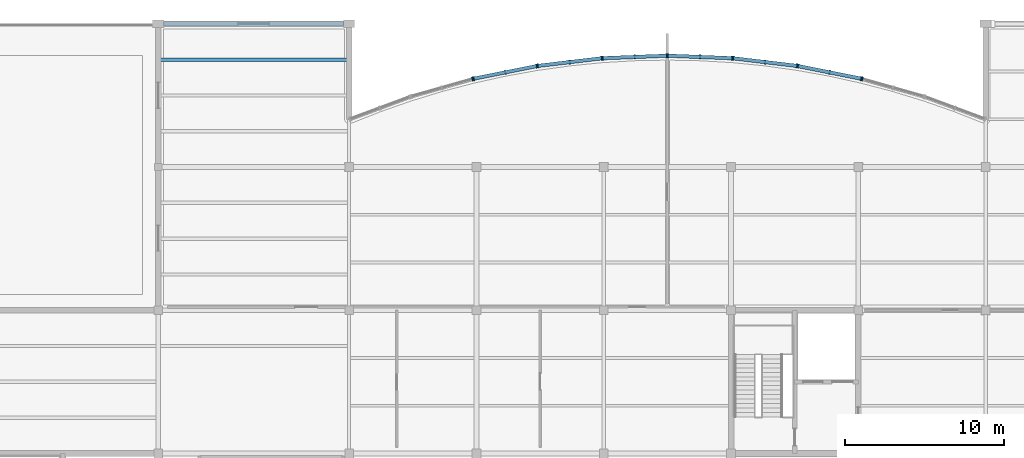
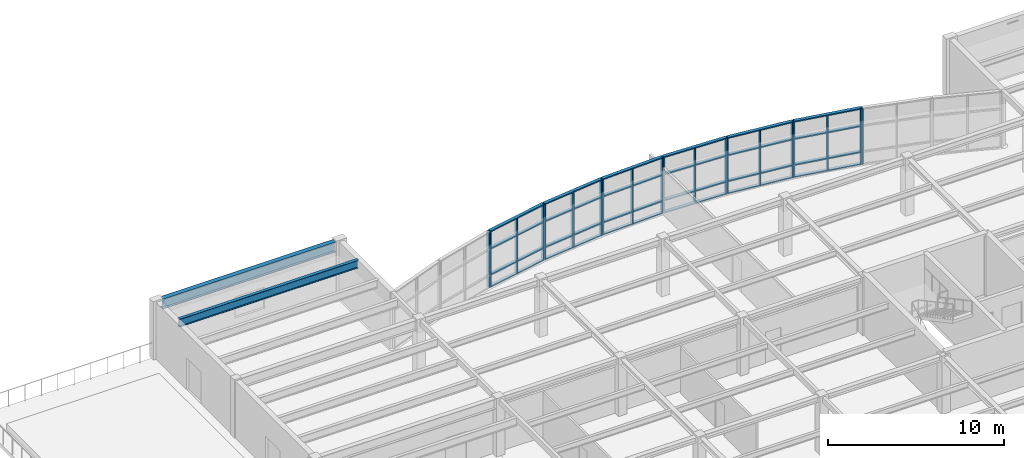
# One storey, part 4 of 12: 44 members, 2 beams, 8 elements without a shape of their own.
"""IFC4 building model written with IfcOpenShell, lengths in metres."""

from ifc_helpers import new_model, si_unit, direction, frame, origin, origin_2d, place, context, subcontext, project, spatial, rectangle, i_section, extrude, material, layer, layer_set, material_profile, profile_set, type_object, element, aggregate, save


model = new_model("IFC4")

# Units and contexts
model_context = context("Model", 3, precision=1e-05, world=origin(), true_north=direction((0.0, 1.0)))
body_context = subcontext(model_context, "Body", "Model", "MODEL_VIEW")
ifc_project = project(units=[si_unit("LENGTHUNIT", "METRE"), si_unit("AREAUNIT", "SQUARE_METRE"), si_unit("VOLUMEUNIT", "CUBIC_METRE"), si_unit("PLANEANGLEUNIT", "RADIAN"), si_unit("MASSUNIT", "GRAM", prefix="KILO")], contexts=[model_context])

# Site, building, storey
site_placement = place(None, origin())
site = spatial("IfcSite", under=ifc_project, at=site_placement, CompositionType="ELEMENT")
building_placement = place(site_placement, origin())
building = spatial("IfcBuilding", under=site, at=building_placement, Name="Keelwater Ferry Terminal", CompositionType="ELEMENT")
storey_placement = place(building_placement, frame((0.0, 0.0, 19.5)))
storey = spatial("IfcBuildingStorey", under=building, at=storey_placement, Name="L04", CompositionType="ELEMENT", Elevation=19.5)

# Curtain wall, member
ifc_material_1 = material(Name="Thermally broken unitised aluminium and triple glass", Category="aluminium")
ifc_layer = layer(ifc_material_1, 0.179931640625)
ifc_layer_set = layer_set([ifc_layer], Name="Thermally broken unitised aluminium and triple glass")
curtain_wall_type = type_object("IfcCurtainWallType", Name="CW-23 Unitised Curtain Wall 4015x3850", PredefinedType="USERDEFINED", material=ifc_layer_set)
curtain_wall_1_placement = place(storey_placement, origin())
curtain_wall_1 = element("IfcCurtainWall", 1, at=curtain_wall_1_placement, inside=storey, type_object=curtain_wall_type, Name="Unitised Curtain Wall CW-L04-214", ObjectType="UNITISED CURTAIN WALL", PredefinedType="USERDEFINED")
ifc_material_2 = material(Name="Aluminium mullion", Category="aluminium")
ifc_material_profile_1 = material_profile(ifc_material_2, rectangle(XDim=0.080078125, YDim=0.25, at=origin_2d()), Name="CWM-04")
ifc_profile_set_1 = profile_set([ifc_material_profile_1], Name="Aluminium mullion")
member_type_1 = type_object("IfcMemberType", Name="CWM-04 Curtain Mullion 80x250", PredefinedType="MULLION", material=ifc_profile_set_1)
member_1_placement = place(storey_placement, frame((164.24609375, 122.535888671875, 0.0), z_axis=(0.0, 0.0, 1.0), x_axis=(-0.962029778706, 0.272944508797, 0.0)))
member_1 = element("IfcMember", 2, at=member_1_placement, type_object=member_type_1, Name="CW-L04-214 Mullion 3", PredefinedType="MULLION", context=body_context, shape_type="SweptSolid", body=[
    extrude(rectangle(XDim=0.080078125, YDim=0.25, at=origin_2d()), origin(), (0.0, 0.0, 1.0), 3.85009765625),
])
aggregate(curtain_wall_1, [member_1])

# Curtain wall, members
curtain_wall_2_placement = place(storey_placement, origin())
curtain_wall_2 = element("IfcCurtainWall", 3, at=curtain_wall_2_placement, inside=storey, type_object=curtain_wall_type, Name="Unitised Curtain Wall CW-L04-215", ObjectType="UNITISED CURTAIN WALL", PredefinedType="USERDEFINED")
member_2_placement = place(storey_placement, frame((164.158935546875, 122.556884765625, 0.0), z_axis=(0.0, 0.0, 1.0), x_axis=(-0.98059983046, 0.196020336958, 0.0)))
member_2 = element("IfcMember", 4, at=member_2_placement, type_object=member_type_1, Name="CW-L04-215 Mullion 1", PredefinedType="MULLION", context=body_context, shape_type="SweptSolid", body=[
    extrude(rectangle(XDim=0.080078125, YDim=0.25, at=origin_2d()), origin(), (0.0, 0.0, 1.0), 3.85009765625),
])
member_3_placement = place(storey_placement, frame((162.1904296875, 122.950439453125, 0.0), z_axis=(0.0, 0.0, 1.0), x_axis=(-0.98059983046, 0.196020336958, 0.0)))
member_3 = element("IfcMember", 5, at=member_3_placement, type_object=member_type_1, Name="CW-L04-215 Mullion 2", PredefinedType="MULLION", context=body_context, shape_type="SweptSolid", body=[
    extrude(rectangle(XDim=0.080078125, YDim=0.25, at=origin_2d()), origin(), (0.0, 0.0, 1.0), 3.85009765625),
])
member_4_placement = place(storey_placement, frame((160.221923828125, 123.343994140625, 0.0), z_axis=(0.0, 0.0, 1.0), x_axis=(-0.98059983046, 0.196020336958, 0.0)))
member_4 = element("IfcMember", 6, at=member_4_placement, type_object=member_type_1, Name="CW-L04-215 Mullion 3", PredefinedType="MULLION", context=body_context, shape_type="SweptSolid", body=[
    extrude(rectangle(XDim=0.080078125, YDim=0.25, at=origin_2d()), origin(), (0.0, 0.0, 1.0), 3.85009765625),
])

curtain_wall_3_placement = place(storey_placement, origin())
curtain_wall_3 = element("IfcCurtainWall", 7, at=curtain_wall_3_placement, inside=storey, type_object=curtain_wall_type, Name="Unitised Curtain Wall CW-L04-216", ObjectType="UNITISED CURTAIN WALL", PredefinedType="USERDEFINED")
member_5_placement = place(storey_placement, frame((160.133056640625, 123.35791015625, 0.0), z_axis=(0.0, 0.0, 1.0), x_axis=(-0.992974342459, 0.118329857676, 0.0)))
member_5 = element("IfcMember", 8, at=member_5_placement, type_object=member_type_1, Name="CW-L04-216 Mullion 1", PredefinedType="MULLION", context=body_context, shape_type="SweptSolid", body=[
    extrude(rectangle(XDim=0.080078125, YDim=0.25, at=origin_2d()), origin(), (0.0, 0.0, 1.0), 3.85009765625),
])
member_6_placement = place(storey_placement, frame((158.139892578125, 123.595458984375, 0.0), z_axis=(0.0, 0.0, 1.0), x_axis=(-0.992974342459, 0.118329857676, 0.0)))
member_6 = element("IfcMember", 9, at=member_6_placement, type_object=member_type_1, Name="CW-L04-216 Mullion 2", PredefinedType="MULLION", context=body_context, shape_type="SweptSolid", body=[
    extrude(rectangle(XDim=0.080078125, YDim=0.25, at=origin_2d()), origin(), (0.0, 0.0, 1.0), 3.85009765625),
])
member_7_placement = place(storey_placement, frame((156.14697265625, 123.8330078125, 0.0), z_axis=(0.0, 0.0, 1.0), x_axis=(-0.992974342459, 0.118329857676, 0.0)))
member_7 = element("IfcMember", 10, at=member_7_placement, type_object=member_type_1, Name="CW-L04-216 Mullion 3", PredefinedType="MULLION", context=body_context, shape_type="SweptSolid", body=[
    extrude(rectangle(XDim=0.080078125, YDim=0.25, at=origin_2d()), origin(), (0.0, 0.0, 1.0), 3.85009765625),
])

curtain_wall_4_placement = place(storey_placement, origin())
curtain_wall_4 = element("IfcCurtainWall", 11, at=curtain_wall_4_placement, inside=storey, type_object=curtain_wall_type, Name="Unitised Curtain Wall CW-L04-217", ObjectType="UNITISED CURTAIN WALL", PredefinedType="USERDEFINED")
member_8_placement = place(storey_placement, frame((156.056884765625, 123.840087890625, 0.0), z_axis=(0.0, 0.0, 1.0), x_axis=(-0.999225435626, 0.039351350652, 0.0)))
member_8 = element("IfcMember", 12, at=member_8_placement, type_object=member_type_1, Name="CW-L04-217 Mullion 1", PredefinedType="MULLION", context=body_context, shape_type="SweptSolid", body=[
    extrude(rectangle(XDim=0.080078125, YDim=0.25, at=origin_2d()), origin(), (0.0, 0.0, 1.0), 3.85009765625),
])
member_9_placement = place(storey_placement, frame((154.051025390625, 123.9189453125, 0.0), z_axis=(0.0, 0.0, 1.0), x_axis=(-0.999225435626, 0.039351350652, 0.0)))
member_9 = element("IfcMember", 13, at=member_9_placement, type_object=member_type_1, Name="CW-L04-217 Mullion 2", PredefinedType="MULLION", context=body_context, shape_type="SweptSolid", body=[
    extrude(rectangle(XDim=0.080078125, YDim=0.25, at=origin_2d()), origin(), (0.0, 0.0, 1.0), 3.85009765625),
])
member_10_placement = place(storey_placement, frame((152.044921875, 123.998046875, 0.0), z_axis=(0.0, 0.0, 1.0), x_axis=(-0.999225435626, 0.039351350652, 0.0)))
member_10 = element("IfcMember", 14, at=member_10_placement, type_object=member_type_1, Name="CW-L04-217 Mullion 3", PredefinedType="MULLION", context=body_context, shape_type="SweptSolid", body=[
    extrude(rectangle(XDim=0.080078125, YDim=0.25, at=origin_2d()), origin(), (0.0, 0.0, 1.0), 3.85009765625),
])

curtain_wall_5_placement = place(storey_placement, origin())
curtain_wall_5 = element("IfcCurtainWall", 15, at=curtain_wall_5_placement, inside=storey, type_object=curtain_wall_type, Name="Unitised Curtain Wall CW-L04-218", ObjectType="UNITISED CURTAIN WALL", PredefinedType="USERDEFINED")
member_11_placement = place(storey_placement, frame((151.955078125, 123.998046875, 0.0), z_axis=(0.0, 0.0, 1.0), x_axis=(-0.999225435626, -0.039351350652, 0.0)))
member_11 = element("IfcMember", 16, at=member_11_placement, type_object=member_type_1, Name="CW-L04-218 Mullion 1", PredefinedType="MULLION", context=body_context, shape_type="SweptSolid", body=[
    extrude(rectangle(XDim=0.080078125, YDim=0.25, at=origin_2d()), origin(), (0.0, 0.0, 1.0), 3.85009765625),
])
member_12_placement = place(storey_placement, frame((149.948974609375, 123.9189453125, 0.0), z_axis=(0.0, 0.0, 1.0), x_axis=(-0.999225435626, -0.039351350652, 0.0)))
member_12 = element("IfcMember", 17, at=member_12_placement, type_object=member_type_1, Name="CW-L04-218 Mullion 2", PredefinedType="MULLION", context=body_context, shape_type="SweptSolid", body=[
    extrude(rectangle(XDim=0.080078125, YDim=0.25, at=origin_2d()), origin(), (0.0, 0.0, 1.0), 3.85009765625),
])
member_13_placement = place(storey_placement, frame((147.943115234375, 123.840087890625, 0.0), z_axis=(0.0, 0.0, 1.0), x_axis=(-0.999225435626, -0.039351350652, 0.0)))
member_13 = element("IfcMember", 18, at=member_13_placement, type_object=member_type_1, Name="CW-L04-218 Mullion 3", PredefinedType="MULLION", context=body_context, shape_type="SweptSolid", body=[
    extrude(rectangle(XDim=0.080078125, YDim=0.25, at=origin_2d()), origin(), (0.0, 0.0, 1.0), 3.85009765625),
])

curtain_wall_6_placement = place(storey_placement, origin())
curtain_wall_6 = element("IfcCurtainWall", 19, at=curtain_wall_6_placement, inside=storey, type_object=curtain_wall_type, Name="Unitised Curtain Wall CW-L04-219", ObjectType="UNITISED CURTAIN WALL", PredefinedType="USERDEFINED")
member_14_placement = place(storey_placement, frame((147.85302734375, 123.8330078125, 0.0), z_axis=(0.0, 0.0, 1.0), x_axis=(-0.992974342459, -0.118329857676, 0.0)))
member_14 = element("IfcMember", 20, at=member_14_placement, type_object=member_type_1, Name="CW-L04-219 Mullion 1", PredefinedType="MULLION", context=body_context, shape_type="SweptSolid", body=[
    extrude(rectangle(XDim=0.080078125, YDim=0.25, at=origin_2d()), origin(), (0.0, 0.0, 1.0), 3.85009765625),
])
member_15_placement = place(storey_placement, frame((145.860107421875, 123.595458984375, 0.0), z_axis=(0.0, 0.0, 1.0), x_axis=(-0.992974342459, -0.118329857676, 0.0)))
member_15 = element("IfcMember", 21, at=member_15_placement, type_object=member_type_1, Name="CW-L04-219 Mullion 2", PredefinedType="MULLION", context=body_context, shape_type="SweptSolid", body=[
    extrude(rectangle(XDim=0.080078125, YDim=0.25, at=origin_2d()), origin(), (0.0, 0.0, 1.0), 3.85009765625),
])
member_16_placement = place(storey_placement, frame((143.866943359375, 123.35791015625, 0.0), z_axis=(0.0, 0.0, 1.0), x_axis=(-0.992974342459, -0.118329857676, 0.0)))
member_16 = element("IfcMember", 22, at=member_16_placement, type_object=member_type_1, Name="CW-L04-219 Mullion 3", PredefinedType="MULLION", context=body_context, shape_type="SweptSolid", body=[
    extrude(rectangle(XDim=0.080078125, YDim=0.25, at=origin_2d()), origin(), (0.0, 0.0, 1.0), 3.85009765625),
])

curtain_wall_7_placement = place(storey_placement, origin())
curtain_wall_7 = element("IfcCurtainWall", 23, at=curtain_wall_7_placement, inside=storey, type_object=curtain_wall_type, Name="Unitised Curtain Wall CW-L04-220", ObjectType="UNITISED CURTAIN WALL", PredefinedType="USERDEFINED")
member_17_placement = place(storey_placement, frame((143.778076171875, 123.343994140625, 0.0), z_axis=(0.0, 0.0, 1.0), x_axis=(-0.98059983046, -0.196020336958, 0.0)))
member_17 = element("IfcMember", 24, at=member_17_placement, type_object=member_type_1, Name="CW-L04-220 Mullion 1", PredefinedType="MULLION", context=body_context, shape_type="SweptSolid", body=[
    extrude(rectangle(XDim=0.080078125, YDim=0.25, at=origin_2d()), origin(), (0.0, 0.0, 1.0), 3.85009765625),
])
member_18_placement = place(storey_placement, frame((141.8095703125, 122.950439453125, 0.0), z_axis=(0.0, 0.0, 1.0), x_axis=(-0.98059983046, -0.196020336958, 0.0)))
member_18 = element("IfcMember", 25, at=member_18_placement, type_object=member_type_1, Name="CW-L04-220 Mullion 2", PredefinedType="MULLION", context=body_context, shape_type="SweptSolid", body=[
    extrude(rectangle(XDim=0.080078125, YDim=0.25, at=origin_2d()), origin(), (0.0, 0.0, 1.0), 3.85009765625),
])
member_19_placement = place(storey_placement, frame((139.841064453125, 122.556884765625, 0.0), z_axis=(0.0, 0.0, 1.0), x_axis=(-0.98059983046, -0.196020336958, 0.0)))
member_19 = element("IfcMember", 26, at=member_19_placement, type_object=member_type_1, Name="CW-L04-220 Mullion 3", PredefinedType="MULLION", context=body_context, shape_type="SweptSolid", body=[
    extrude(rectangle(XDim=0.080078125, YDim=0.25, at=origin_2d()), origin(), (0.0, 0.0, 1.0), 3.85009765625),
])

# Curtain wall, member
curtain_wall_8_placement = place(storey_placement, origin())
curtain_wall_8 = element("IfcCurtainWall", 27, at=curtain_wall_8_placement, inside=storey, type_object=curtain_wall_type, Name="Unitised Curtain Wall CW-L04-221", ObjectType="UNITISED CURTAIN WALL", PredefinedType="USERDEFINED")
member_20_placement = place(storey_placement, frame((139.75390625, 122.535888671875, 0.0), z_axis=(0.0, 0.0, 1.0), x_axis=(-0.962029778706, -0.272944508797, 0.0)))
member_20 = element("IfcMember", 28, at=member_20_placement, type_object=member_type_1, Name="CW-L04-221 Mullion 1", PredefinedType="MULLION", context=body_context, shape_type="SweptSolid", body=[
    extrude(rectangle(XDim=0.080078125, YDim=0.25, at=origin_2d()), origin(), (0.0, 0.0, 1.0), 3.85009765625),
])
aggregate(curtain_wall_8, [member_20])

# Member
ifc_material_3 = material(Name="Aluminium mullion", Category="aluminium")
ifc_material_profile_2 = material_profile(ifc_material_3, rectangle(XDim=0.219970703125, YDim=0.080078125, at=origin_2d()), Name="CWT-04")
ifc_profile_set_2 = profile_set([ifc_material_profile_2], Name="Aluminium mullion")
member_type_2 = type_object("IfcMemberType", Name="CWT-04 Curtain Transom 80x220", PredefinedType="USERDEFINED", material=ifc_profile_set_2)
member_21_placement = place(storey_placement, frame((164.158935546875, 122.556884765625, 0.0), z_axis=(-0.980594705866, 0.196045971209, 0.0), x_axis=(-0.196045971209, -0.980594705866, 0.0)))
member_21 = element("IfcMember", 29, at=member_21_placement, type_object=member_type_2, Name="CW-L04-215 Transom 1", ObjectType="TRANSOM", PredefinedType="USERDEFINED", context=body_context, shape_type="SweptSolid", body=[
    extrude(rectangle(XDim=0.219970703125, YDim=0.080078125, at=origin_2d()), origin(), (0.0, 0.0, 1.0), 4.014892578125),
])

member_22_placement = place(storey_placement, frame((164.158935546875, 122.556884765625, 0.85009765625), z_axis=(-0.980594705866, 0.196045971209, 0.0), x_axis=(-0.196045971209, -0.980594705866, 0.0)))
member_22 = element("IfcMember", 30, at=member_22_placement, type_object=member_type_2, Name="CW-L04-215 Transom 2", ObjectType="TRANSOM", PredefinedType="USERDEFINED", context=body_context, shape_type="SweptSolid", body=[
    extrude(rectangle(XDim=0.219970703125, YDim=0.080078125, at=origin_2d()), origin(), (0.0, 0.0, 1.0), 4.014892578125),
])

member_23_placement = place(storey_placement, frame((164.158935546875, 122.556884765625, 2.64990234375), z_axis=(-0.980594705866, 0.196045971209, 0.0), x_axis=(-0.196045971209, -0.980594705866, 0.0)))
member_23 = element("IfcMember", 31, at=member_23_placement, type_object=member_type_2, Name="CW-L04-215 Transom 3", ObjectType="TRANSOM", PredefinedType="USERDEFINED", context=body_context, shape_type="SweptSolid", body=[
    extrude(rectangle(XDim=0.219970703125, YDim=0.080078125, at=origin_2d()), origin(), (0.0, 0.0, 1.0), 4.014892578125),
])

member_24_placement = place(storey_placement, frame((164.158935546875, 122.556884765625, 3.85009765625), z_axis=(-0.980594705866, 0.196045971209, 0.0), x_axis=(-0.196045971209, -0.980594705866, 0.0)))
member_24 = element("IfcMember", 32, at=member_24_placement, type_object=member_type_2, Name="CW-L04-215 Transom 4", ObjectType="TRANSOM", PredefinedType="USERDEFINED", context=body_context, shape_type="SweptSolid", body=[
    extrude(rectangle(XDim=0.219970703125, YDim=0.080078125, at=origin_2d()), origin(), (0.0, 0.0, 1.0), 4.014892578125),
])

aggregate(curtain_wall_2, [member_2, member_3, member_4, member_21, member_22, member_23, member_24])

member_25_placement = place(storey_placement, frame((160.133056640625, 123.35791015625, 0.0), z_axis=(-0.992971776767, 0.1183513859, 0.0), x_axis=(-0.1183513859, -0.992971776767, 0.0)))
member_25 = element("IfcMember", 33, at=member_25_placement, type_object=member_type_2, Name="CW-L04-216 Transom 1", ObjectType="TRANSOM", PredefinedType="USERDEFINED", context=body_context, shape_type="SweptSolid", body=[
    extrude(rectangle(XDim=0.219970703125, YDim=0.080078125, at=origin_2d()), origin(), (0.0, 0.0, 1.0), 4.014404296875),
])

member_26_placement = place(storey_placement, frame((160.133056640625, 123.35791015625, 0.85009765625), z_axis=(-0.992971776767, 0.1183513859, 0.0), x_axis=(-0.1183513859, -0.992971776767, 0.0)))
member_26 = element("IfcMember", 34, at=member_26_placement, type_object=member_type_2, Name="CW-L04-216 Transom 2", ObjectType="TRANSOM", PredefinedType="USERDEFINED", context=body_context, shape_type="SweptSolid", body=[
    extrude(rectangle(XDim=0.219970703125, YDim=0.080078125, at=origin_2d()), origin(), (0.0, 0.0, 1.0), 4.014404296875),
])

member_27_placement = place(storey_placement, frame((160.133056640625, 123.35791015625, 2.64990234375), z_axis=(-0.992971776767, 0.1183513859, 0.0), x_axis=(-0.1183513859, -0.992971776767, 0.0)))
member_27 = element("IfcMember", 35, at=member_27_placement, type_object=member_type_2, Name="CW-L04-216 Transom 3", ObjectType="TRANSOM", PredefinedType="USERDEFINED", context=body_context, shape_type="SweptSolid", body=[
    extrude(rectangle(XDim=0.219970703125, YDim=0.080078125, at=origin_2d()), origin(), (0.0, 0.0, 1.0), 4.014404296875),
])

member_28_placement = place(storey_placement, frame((160.133056640625, 123.35791015625, 3.85009765625), z_axis=(-0.992971776767, 0.1183513859, 0.0), x_axis=(-0.1183513859, -0.992971776767, 0.0)))
member_28 = element("IfcMember", 36, at=member_28_placement, type_object=member_type_2, Name="CW-L04-216 Transom 4", ObjectType="TRANSOM", PredefinedType="USERDEFINED", context=body_context, shape_type="SweptSolid", body=[
    extrude(rectangle(XDim=0.219970703125, YDim=0.080078125, at=origin_2d()), origin(), (0.0, 0.0, 1.0), 4.014404296875),
])

aggregate(curtain_wall_3, [member_5, member_6, member_7, member_25, member_26, member_27, member_28])

member_29_placement = place(storey_placement, frame((156.056884765625, 123.840087890625, 0.0), z_axis=(-0.999225822944, 0.03934151448, 0.0), x_axis=(-0.03934151448, -0.999225822944, 0.0)))
member_29 = element("IfcMember", 37, at=member_29_placement, type_object=member_type_2, Name="CW-L04-217 Transom 1", ObjectType="TRANSOM", PredefinedType="USERDEFINED", context=body_context, shape_type="SweptSolid", body=[
    extrude(rectangle(XDim=0.219970703125, YDim=0.080078125, at=origin_2d()), origin(), (0.0, 0.0, 1.0), 4.01513671875),
])

member_30_placement = place(storey_placement, frame((156.056884765625, 123.840087890625, 0.85009765625), z_axis=(-0.999225822944, 0.03934151448, 0.0), x_axis=(-0.03934151448, -0.999225822944, 0.0)))
member_30 = element("IfcMember", 38, at=member_30_placement, type_object=member_type_2, Name="CW-L04-217 Transom 2", ObjectType="TRANSOM", PredefinedType="USERDEFINED", context=body_context, shape_type="SweptSolid", body=[
    extrude(rectangle(XDim=0.219970703125, YDim=0.080078125, at=origin_2d()), origin(), (0.0, 0.0, 1.0), 4.01513671875),
])

member_31_placement = place(storey_placement, frame((156.056884765625, 123.840087890625, 2.64990234375), z_axis=(-0.999225822944, 0.03934151448, 0.0), x_axis=(-0.03934151448, -0.999225822944, 0.0)))
member_31 = element("IfcMember", 39, at=member_31_placement, type_object=member_type_2, Name="CW-L04-217 Transom 3", ObjectType="TRANSOM", PredefinedType="USERDEFINED", context=body_context, shape_type="SweptSolid", body=[
    extrude(rectangle(XDim=0.219970703125, YDim=0.080078125, at=origin_2d()), origin(), (0.0, 0.0, 1.0), 4.01513671875),
])

member_32_placement = place(storey_placement, frame((156.056884765625, 123.840087890625, 3.85009765625), z_axis=(-0.999225822944, 0.03934151448, 0.0), x_axis=(-0.03934151448, -0.999225822944, 0.0)))
member_32 = element("IfcMember", 40, at=member_32_placement, type_object=member_type_2, Name="CW-L04-217 Transom 4", ObjectType="TRANSOM", PredefinedType="USERDEFINED", context=body_context, shape_type="SweptSolid", body=[
    extrude(rectangle(XDim=0.219970703125, YDim=0.080078125, at=origin_2d()), origin(), (0.0, 0.0, 1.0), 4.01513671875),
])

aggregate(curtain_wall_4, [member_8, member_9, member_10, member_29, member_30, member_31, member_32])

member_33_placement = place(storey_placement, frame((151.955078125, 123.998046875, 0.0), z_axis=(-0.999225822944, -0.03934151448, 0.0), x_axis=(0.03934151448, -0.999225822944, 0.0)))
member_33 = element("IfcMember", 41, at=member_33_placement, type_object=member_type_2, Name="CW-L04-218 Transom 1", ObjectType="TRANSOM", PredefinedType="USERDEFINED", context=body_context, shape_type="SweptSolid", body=[
    extrude(rectangle(XDim=0.219970703125, YDim=0.080078125, at=origin_2d()), origin(), (0.0, 0.0, 1.0), 4.01513671875),
])

member_34_placement = place(storey_placement, frame((151.955078125, 123.998046875, 0.85009765625), z_axis=(-0.999225822944, -0.03934151448, 0.0), x_axis=(0.03934151448, -0.999225822944, 0.0)))
member_34 = element("IfcMember", 42, at=member_34_placement, type_object=member_type_2, Name="CW-L04-218 Transom 2", ObjectType="TRANSOM", PredefinedType="USERDEFINED", context=body_context, shape_type="SweptSolid", body=[
    extrude(rectangle(XDim=0.219970703125, YDim=0.080078125, at=origin_2d()), origin(), (0.0, 0.0, 1.0), 4.01513671875),
])

member_35_placement = place(storey_placement, frame((151.955078125, 123.998046875, 2.64990234375), z_axis=(-0.999225822944, -0.03934151448, 0.0), x_axis=(0.03934151448, -0.999225822944, 0.0)))
member_35 = element("IfcMember", 43, at=member_35_placement, type_object=member_type_2, Name="CW-L04-218 Transom 3", ObjectType="TRANSOM", PredefinedType="USERDEFINED", context=body_context, shape_type="SweptSolid", body=[
    extrude(rectangle(XDim=0.219970703125, YDim=0.080078125, at=origin_2d()), origin(), (0.0, 0.0, 1.0), 4.01513671875),
])

member_36_placement = place(storey_placement, frame((151.955078125, 123.998046875, 3.85009765625), z_axis=(-0.999225822944, -0.03934151448, 0.0), x_axis=(0.03934151448, -0.999225822944, 0.0)))
member_36 = element("IfcMember", 44, at=member_36_placement, type_object=member_type_2, Name="CW-L04-218 Transom 4", ObjectType="TRANSOM", PredefinedType="USERDEFINED", context=body_context, shape_type="SweptSolid", body=[
    extrude(rectangle(XDim=0.219970703125, YDim=0.080078125, at=origin_2d()), origin(), (0.0, 0.0, 1.0), 4.01513671875),
])

aggregate(curtain_wall_5, [member_11, member_12, member_13, member_33, member_34, member_35, member_36])

member_37_placement = place(storey_placement, frame((147.85302734375, 123.8330078125, 0.0), z_axis=(-0.992971776767, -0.1183513859, 0.0), x_axis=(0.1183513859, -0.992971776767, 0.0)))
member_37 = element("IfcMember", 45, at=member_37_placement, type_object=member_type_2, Name="CW-L04-219 Transom 1", ObjectType="TRANSOM", PredefinedType="USERDEFINED", context=body_context, shape_type="SweptSolid", body=[
    extrude(rectangle(XDim=0.219970703125, YDim=0.080078125, at=origin_2d()), origin(), (0.0, 0.0, 1.0), 4.014404296875),
])

member_38_placement = place(storey_placement, frame((147.85302734375, 123.8330078125, 0.85009765625), z_axis=(-0.992971776767, -0.1183513859, 0.0), x_axis=(0.1183513859, -0.992971776767, 0.0)))
member_38 = element("IfcMember", 46, at=member_38_placement, type_object=member_type_2, Name="CW-L04-219 Transom 2", ObjectType="TRANSOM", PredefinedType="USERDEFINED", context=body_context, shape_type="SweptSolid", body=[
    extrude(rectangle(XDim=0.219970703125, YDim=0.080078125, at=origin_2d()), origin(), (0.0, 0.0, 1.0), 4.014404296875),
])

member_39_placement = place(storey_placement, frame((147.85302734375, 123.8330078125, 2.64990234375), z_axis=(-0.992971776767, -0.1183513859, 0.0), x_axis=(0.1183513859, -0.992971776767, 0.0)))
member_39 = element("IfcMember", 47, at=member_39_placement, type_object=member_type_2, Name="CW-L04-219 Transom 3", ObjectType="TRANSOM", PredefinedType="USERDEFINED", context=body_context, shape_type="SweptSolid", body=[
    extrude(rectangle(XDim=0.219970703125, YDim=0.080078125, at=origin_2d()), origin(), (0.0, 0.0, 1.0), 4.014404296875),
])

member_40_placement = place(storey_placement, frame((147.85302734375, 123.8330078125, 3.85009765625), z_axis=(-0.992971776767, -0.1183513859, 0.0), x_axis=(0.1183513859, -0.992971776767, 0.0)))
member_40 = element("IfcMember", 48, at=member_40_placement, type_object=member_type_2, Name="CW-L04-219 Transom 4", ObjectType="TRANSOM", PredefinedType="USERDEFINED", context=body_context, shape_type="SweptSolid", body=[
    extrude(rectangle(XDim=0.219970703125, YDim=0.080078125, at=origin_2d()), origin(), (0.0, 0.0, 1.0), 4.014404296875),
])

aggregate(curtain_wall_6, [member_14, member_15, member_16, member_37, member_38, member_39, member_40])

member_41_placement = place(storey_placement, frame((143.778076171875, 123.343994140625, 0.0), z_axis=(-0.980594705866, -0.196045971209, 0.0), x_axis=(0.196045971209, -0.980594705866, 0.0)))
member_41 = element("IfcMember", 49, at=member_41_placement, type_object=member_type_2, Name="CW-L04-220 Transom 1", ObjectType="TRANSOM", PredefinedType="USERDEFINED", context=body_context, shape_type="SweptSolid", body=[
    extrude(rectangle(XDim=0.219970703125, YDim=0.080078125, at=origin_2d()), origin(), (0.0, 0.0, 1.0), 4.014892578125),
])

member_42_placement = place(storey_placement, frame((143.778076171875, 123.343994140625, 0.85009765625), z_axis=(-0.980594705866, -0.196045971209, 0.0), x_axis=(0.196045971209, -0.980594705866, 0.0)))
member_42 = element("IfcMember", 50, at=member_42_placement, type_object=member_type_2, Name="CW-L04-220 Transom 2", ObjectType="TRANSOM", PredefinedType="USERDEFINED", context=body_context, shape_type="SweptSolid", body=[
    extrude(rectangle(XDim=0.219970703125, YDim=0.080078125, at=origin_2d()), origin(), (0.0, 0.0, 1.0), 4.014892578125),
])

member_43_placement = place(storey_placement, frame((143.778076171875, 123.343994140625, 2.64990234375), z_axis=(-0.980594705866, -0.196045971209, 0.0), x_axis=(0.196045971209, -0.980594705866, 0.0)))
member_43 = element("IfcMember", 51, at=member_43_placement, type_object=member_type_2, Name="CW-L04-220 Transom 3", ObjectType="TRANSOM", PredefinedType="USERDEFINED", context=body_context, shape_type="SweptSolid", body=[
    extrude(rectangle(XDim=0.219970703125, YDim=0.080078125, at=origin_2d()), origin(), (0.0, 0.0, 1.0), 4.014892578125),
])

member_44_placement = place(storey_placement, frame((143.778076171875, 123.343994140625, 3.85009765625), z_axis=(-0.980594705866, -0.196045971209, 0.0), x_axis=(0.196045971209, -0.980594705866, 0.0)))
member_44 = element("IfcMember", 52, at=member_44_placement, type_object=member_type_2, Name="CW-L04-220 Transom 4", ObjectType="TRANSOM", PredefinedType="USERDEFINED", context=body_context, shape_type="SweptSolid", body=[
    extrude(rectangle(XDim=0.219970703125, YDim=0.080078125, at=origin_2d()), origin(), (0.0, 0.0, 1.0), 4.014892578125),
])

aggregate(curtain_wall_7, [member_17, member_18, member_19, member_41, member_42, member_43, member_44])

# Beams
ifc_material_4 = material(Name="Steel S355", Category="steel")
ifc_material_profile_3 = material_profile(ifc_material_4, i_section(OverallWidth=0.300048828125, OverallDepth=0.699951171875, WebThickness=0.01708984375, FlangeThickness=0.031982421875, at=origin_2d()), Name="HEB 700")
ifc_profile_set_3 = profile_set([ifc_material_profile_3], Name="Steel S355")
beam_type_1 = type_object("IfcBeamType", Name="G2E HEB 700", PredefinedType="BEAM", material=ifc_profile_set_3)
beam_1_placement = place(storey_placement, frame((120.343017578125, 126.0, 3.590087890625), z_axis=(1.0, 0.0, 0.0), x_axis=(0.0, 1.0, 0.0)))
element("IfcBeam", 53, at=beam_1_placement, inside=storey, type_object=beam_type_1, Name="Beam BM-L04-1485", PredefinedType="BEAM", context=body_context, shape_type="SweptSolid", body=[
    extrude(i_section(OverallWidth=0.300048828125, OverallDepth=0.699951171875, WebThickness=0.01708984375, FlangeThickness=0.031982421875, at=origin_2d()), origin(), (0.0, 0.0, 1.0), 11.31396484375),
])
ifc_material_5 = material(Name="Steel S355", Category="steel")
ifc_material_profile_4 = material_profile(ifc_material_5, i_section(OverallWidth=0.2099609375, OverallDepth=0.550048828125, WebThickness=0.010986328125, FlangeThickness=0.01708984375, at=origin_2d()), Name="IPE 550")
ifc_profile_set_4 = profile_set([ifc_material_profile_4], Name="Steel S355")
beam_type_2 = type_object("IfcBeamType", Name="J2 IPE 550", PredefinedType="JOIST", material=ifc_profile_set_4)
beam_2_placement = place(storey_placement, frame((120.14990234375, 123.75, 3.6650390625), z_axis=(1.0, 0.0, 0.0), x_axis=(0.0, 1.0, 0.0)))
element("IfcBeam", 54, at=beam_2_placement, inside=storey, type_object=beam_type_2, Name="Beam BM-L04-1529", PredefinedType="JOIST", context=body_context, shape_type="SweptSolid", body=[
    extrude(i_section(OverallWidth=0.2099609375, OverallDepth=0.550048828125, WebThickness=0.010986328125, FlangeThickness=0.01708984375, at=origin_2d()), origin(), (0.0, 0.0, 1.0), 11.75),
])

save(model, "model.ifc")
